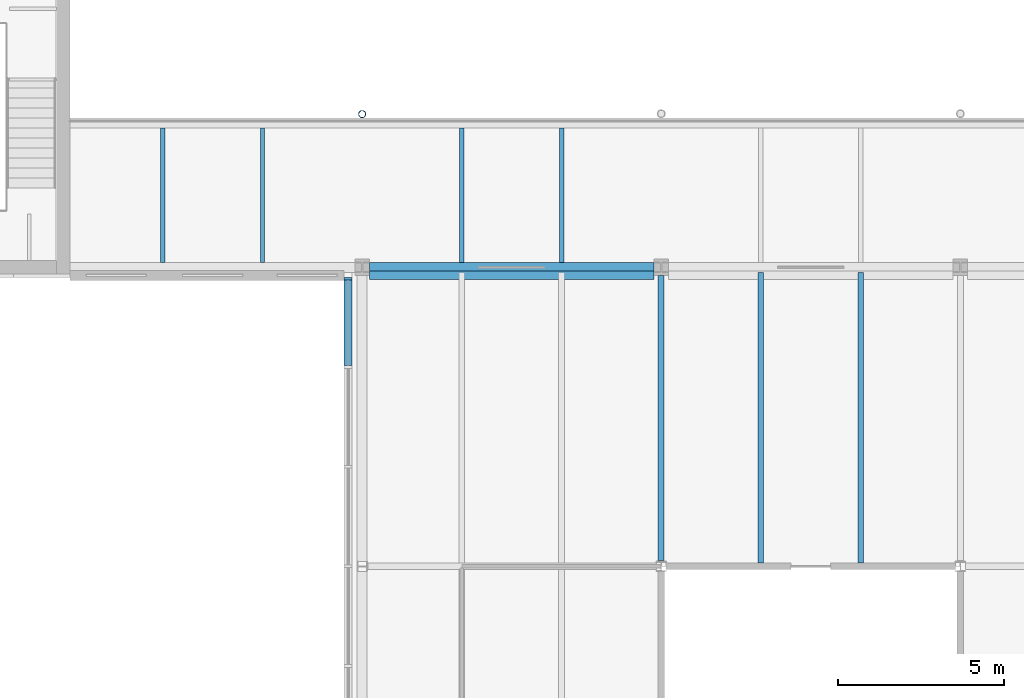
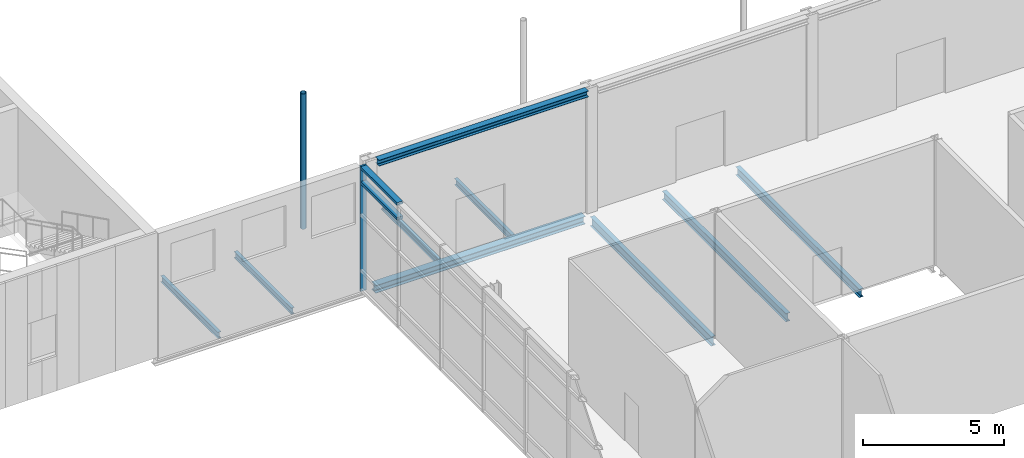
# One storey, part 19 of 46: 9 beams, 4 members, 1 element without a shape of its own.
"""IFC4 building model written with IfcOpenShell, lengths in metres."""

from ifc_helpers import new_model, si_unit, direction, frame, origin, origin_2d, place, context, subcontext, project, spatial, rectangle, hollow_circle, i_section, extrude, material, material_profile, profile_set, type_object, element, aggregate, save


model = new_model("IFC4")

# Units and contexts
model_context = context("Model", 3, precision=1e-05, world=origin(), true_north=direction((0.0, 1.0)))
body_context = subcontext(model_context, "Body", "Model", "MODEL_VIEW")
ifc_project = project(units=[si_unit("LENGTHUNIT", "METRE"), si_unit("AREAUNIT", "SQUARE_METRE"), si_unit("VOLUMEUNIT", "CUBIC_METRE"), si_unit("PLANEANGLEUNIT", "RADIAN"), si_unit("MASSUNIT", "GRAM", prefix="KILO")], contexts=[model_context])

# Site, building, storey
site_placement = place(None, origin())
site = spatial("IfcSite", under=ifc_project, at=site_placement, CompositionType="ELEMENT")
building_placement = place(site_placement, origin())
building = spatial("IfcBuilding", under=site, at=building_placement, Name="Azimuth Sports and Learning Centre", CompositionType="ELEMENT")
storey_placement = place(building_placement, frame((0.0, 0.0, 21.60009765625)))
storey = spatial("IfcBuildingStorey", under=building, at=storey_placement, Name="L04", CompositionType="ELEMENT", Elevation=21.60009765625)

# Beams
ifc_material_1 = material(Name="Steel S355", Category="steel")
ifc_material_profile_1 = material_profile(ifc_material_1, i_section(OverallWidth=0.179931640625, OverallDepth=0.39990234375, WebThickness=0.008544921875, FlangeThickness=0.013427734375, FilletRadius=0.02099609375, at=origin_2d()), Name="IPE 400")
ifc_profile_set_1 = profile_set([ifc_material_profile_1], Name="Steel S355")
beam_type_1 = type_object("IfcBeamType", Name="Beam IPE 400", PredefinedType="BEAM", material=ifc_profile_set_1)
beam_1_placement = place(storey_placement, frame((81.0, 81.179931640625, -0.35009765625), z_axis=(0.0, 1.0, 0.0), x_axis=(-1.0, 0.0, 0.0)))
element("IfcBeam", 1, at=beam_1_placement, inside=storey, type_object=beam_type_1, Name="Beam L04 ST 34", PredefinedType="BEAM", context=body_context, shape_type="SweptSolid", body=[
    extrude(i_section(OverallWidth=0.179931640625, OverallDepth=0.39990234375, WebThickness=0.008544921875, FlangeThickness=0.013427734375, FilletRadius=0.02099609375, at=origin_2d()), origin(), (0.0, 0.0, 1.0), 8.571044921875),
])
ifc_material_2 = material(Name="Steel S355", Category="steel")
ifc_material_profile_2 = material_profile(ifc_material_2, i_section(OverallWidth=0.300048828125, OverallDepth=0.330078125, WebThickness=0.009521484375, FlangeThickness=0.0166015625, FilletRadius=0.027099609375, at=origin_2d()), Name="HEA 340")
ifc_profile_set_2 = profile_set([ifc_material_profile_2], Name="Steel S355")
beam_type_2 = type_object("IfcBeamType", Name="Edge beam HEA 340", PredefinedType="SPANDREL", material=ifc_profile_set_2)
beam_2_placement = place(storey_placement, frame((72.216064453125, 90.0, -0.315185546875), z_axis=(1.0, 0.0, 0.0), x_axis=(0.0, 1.0, 0.0)))
element("IfcBeam", 2, at=beam_2_placement, inside=storey, type_object=beam_type_2, Name="Edge beam L04 ST 18", PredefinedType="SPANDREL", context=body_context, shape_type="SweptSolid", body=[
    extrude(i_section(OverallWidth=0.300048828125, OverallDepth=0.330078125, WebThickness=0.009521484375, FlangeThickness=0.0166015625, FilletRadius=0.027099609375, at=origin_2d()), origin(), (0.0, 0.0, 1.0), 8.56787109375),
])
ifc_material_3 = material(Name="Steel S355", Category="steel")
ifc_material_profile_3 = material_profile(ifc_material_3, i_section(OverallWidth=0.260009765625, OverallDepth=0.260009765625, WebThickness=0.010009765625, FlangeThickness=0.017578125, FilletRadius=0.02392578125, at=origin_2d()), Name="HEB 260")
ifc_profile_set_3 = profile_set([ifc_material_profile_3], Name="Steel S355")
beam_type_3 = type_object("IfcBeamType", Name="Edge beam HEB 260", PredefinedType="SPANDREL", material=ifc_profile_set_3)
beam_3_placement = place(storey_placement, frame((72.216064453125, 89.760009765625, 5.27001953125), z_axis=(1.0, 0.0, 0.0), x_axis=(0.0, 1.0, 0.0)))
element("IfcBeam", 3, at=beam_3_placement, inside=storey, type_object=beam_type_3, Name="Hall wall ledger beam 1", PredefinedType="SPANDREL", context=body_context, shape_type="SweptSolid", body=[
    extrude(i_section(OverallWidth=0.260009765625, OverallDepth=0.260009765625, WebThickness=0.010009765625, FlangeThickness=0.017578125, FilletRadius=0.02392578125, at=origin_2d()), origin(), (0.0, 0.0, 1.0), 8.56787109375),
])
ifc_material_4 = material(Name="Steel S355", Category="steel")
ifc_material_profile_4 = material_profile(ifc_material_4, i_section(OverallWidth=0.135009765625, OverallDepth=0.27001953125, WebThickness=0.006591796875, FlangeThickness=0.01025390625, FilletRadius=0.014892578125, at=origin_2d()), Name="IPE 270")
ifc_profile_set_4 = profile_set([ifc_material_profile_4], Name="Steel S355")
beam_type_4 = type_object("IfcBeamType", Name="Joist IPE 270", PredefinedType="JOIST", material=ifc_profile_set_4)
for number, where, z_axis, x_axis, name in (
    (4, (66.0, 90.14990234375, -0.28515625), (0.0, 1.0, 0.0), (-1.0, 0.0, 0.0), "Joist L04 HG 4"),
    (5, (69.0, 90.14990234375, -0.28515625), (0.0, 1.0, 0.0), (-1.0, 0.0, 0.0), "Joist L04 HG 5"),
    (6, (75.0, 90.14990234375, -0.28515625), (0.0, 1.0, 0.0), (-1.0, 0.0, 0.0), "Joist L04 HG 6"),
    (7, (78.0, 90.14990234375, -0.28515625), (0.0, 1.0, 0.0), (-1.0, 0.0, 0.0), "Joist L04 HG 7"),
):
    element("IfcBeam", number, at=place(storey_placement, frame(where, z_axis=z_axis, x_axis=x_axis)), inside=storey, type_object=beam_type_4, Name=name, PredefinedType="JOIST", context=body_context, shape_type="SweptSolid", body=[
        extrude(i_section(OverallWidth=0.135009765625, OverallDepth=0.27001953125, WebThickness=0.006591796875, FlangeThickness=0.01025390625, FilletRadius=0.014892578125, at=origin_2d()), origin(), (0.0, 0.0, 1.0), 4.050048828125),
    ])
ifc_material_5 = material(Name="Steel S355", Category="steel")
ifc_material_profile_5 = material_profile(ifc_material_5, i_section(OverallWidth=0.169921875, OverallDepth=0.360107421875, WebThickness=0.008056640625, FlangeThickness=0.0126953125, FilletRadius=0.01806640625, at=origin_2d()), Name="IPE 360")
ifc_profile_set_5 = profile_set([ifc_material_profile_5], Name="Steel S355")
beam_type_5 = type_object("IfcBeamType", Name="Joist IPE 360", PredefinedType="JOIST", material=ifc_profile_set_5)
for number, where, z_axis, x_axis, name in (
    (8, (84.0, 81.10009765625, -0.330078125), (0.0, 1.0, 0.0), (-1.0, 0.0, 0.0), "Joist L04 ST 69"),
    (9, (87.0, 81.10009765625, -0.330078125), (0.0, 1.0, 0.0), (-1.0, 0.0, 0.0), "Joist L04 ST 75"),
):
    element("IfcBeam", number, at=place(storey_placement, frame(where, z_axis=z_axis, x_axis=x_axis)), inside=storey, type_object=beam_type_5, Name=name, PredefinedType="JOIST", context=body_context, shape_type="SweptSolid", body=[
        extrude(i_section(OverallWidth=0.169921875, OverallDepth=0.360107421875, WebThickness=0.008056640625, FlangeThickness=0.0126953125, FilletRadius=0.01806640625, at=origin_2d()), origin(), (0.0, 0.0, 1.0), 8.75),
    ])

# Curtain wall, members
ifc_material_6 = material(Name="Aluminium and glass", Category="aluminium")
curtain_wall_type = type_object("IfcCurtainWallType", Name="Curtain wall podium stem 240", PredefinedType="NOTDEFINED", material=ifc_material_6)
curtain_wall_placement = place(storey_placement, origin())
curtain_wall = element("IfcCurtainWall", 10, at=curtain_wall_placement, inside=storey, type_object=curtain_wall_type, Name="Curtain wall CW04-003", PredefinedType="NOTDEFINED")
ifc_material_7 = material(Name="Aluminium", Category="aluminium")
ifc_material_profile_6 = material_profile(ifc_material_7, rectangle(XDim=0.239990234375, YDim=0.080078125, at=origin_2d()), Name="Mullion 80x240")
ifc_profile_set_6 = profile_set([ifc_material_profile_6], Name="Aluminium")
member_type_1 = type_object("IfcMemberType", Name="Mullion 80x240", PredefinedType="MULLION", material=ifc_profile_set_6)
member_1_placement = place(storey_placement, frame((71.580078125, 89.659912109375, 0.0), z_axis=(0.0, 0.0, 1.0), x_axis=(1.0, 0.0, 0.0)))
member_1 = element("IfcMember", 11, at=member_1_placement, type_object=member_type_1, Name="CW04-003 mullion 1", PredefinedType="MULLION", context=body_context, shape_type="SweptSolid", body=[
    extrude(rectangle(XDim=0.239990234375, YDim=0.080078125, at=origin_2d()), origin(), (0.0, 0.0, 1.0), 5.39990234375),
])
ifc_material_8 = material(Name="Aluminium", Category="aluminium")
ifc_material_profile_7 = material_profile(ifc_material_8, rectangle(XDim=0.239990234375, YDim=0.1201171875, at=origin_2d()), Name="Transom 120x240")
ifc_profile_set_7 = profile_set([ifc_material_profile_7], Name="Aluminium")
member_type_2 = type_object("IfcMemberType", Name="Transom 120x240", PredefinedType="USERDEFINED", material=ifc_profile_set_7)
member_2_placement = place(storey_placement, frame((71.580078125, 89.6201171875, 4.699951171875), z_axis=(0.0, -1.0, 0.0), x_axis=(1.0, 0.0, 0.0)))
member_2 = element("IfcMember", 12, at=member_2_placement, type_object=member_type_2, Name="CW04-003 transom 1.4", ObjectType="TRANSOM", PredefinedType="USERDEFINED", context=body_context, shape_type="SweptSolid", body=[
    extrude(rectangle(XDim=0.239990234375, YDim=0.1201171875, at=origin_2d()), origin(), (0.0, 0.0, 1.0), 2.580078125),
])
member_3_placement = place(storey_placement, frame((71.580078125, 89.6201171875, 5.33984375), z_axis=(0.0, -1.0, 0.0), x_axis=(1.0, 0.0, 0.0)))
member_3 = element("IfcMember", 13, at=member_3_placement, type_object=member_type_2, Name="CW04-003 transom 1.5", ObjectType="TRANSOM", PredefinedType="USERDEFINED", context=body_context, shape_type="SweptSolid", body=[
    extrude(rectangle(XDim=0.239990234375, YDim=0.1201171875, at=origin_2d()), origin(), (0.0, 0.0, 1.0), 2.580078125),
])
aggregate(curtain_wall, [member_1, member_2, member_3])

# Member
ifc_material_9 = material(Name="Steel S355", Category="steel")
ifc_material_profile_8 = material_profile(ifc_material_9, hollow_circle(Radius=0.109619140625, WallThickness=0.010009765625, at=origin_2d()), Name="CHS 219.1x10.0")
ifc_profile_set_8 = profile_set([ifc_material_profile_8], Name="Steel S355")
member_type_3 = type_object("IfcMemberType", Name="Truss post CHS 219.1x10.0", PredefinedType="POST", material=ifc_profile_set_8)
member_4_placement = place(storey_placement, frame((72.0, 94.609619140625, -0.4501953125), z_axis=(0.0, 0.0, 1.0), x_axis=(1.0, 0.0, 0.0)))
element("IfcMember", 14, at=member_4_placement, inside=storey, type_object=member_type_3, Name="Gallery hanger TT-1", PredefinedType="POST", context=body_context, shape_type="SweptSolid", body=[
    extrude(hollow_circle(Radius=0.109619140625, WallThickness=0.010009765625, at=origin_2d()), origin(), (0.0, 0.0, 1.0), 5.85009765625),
])

save(model, "model.ifc")
